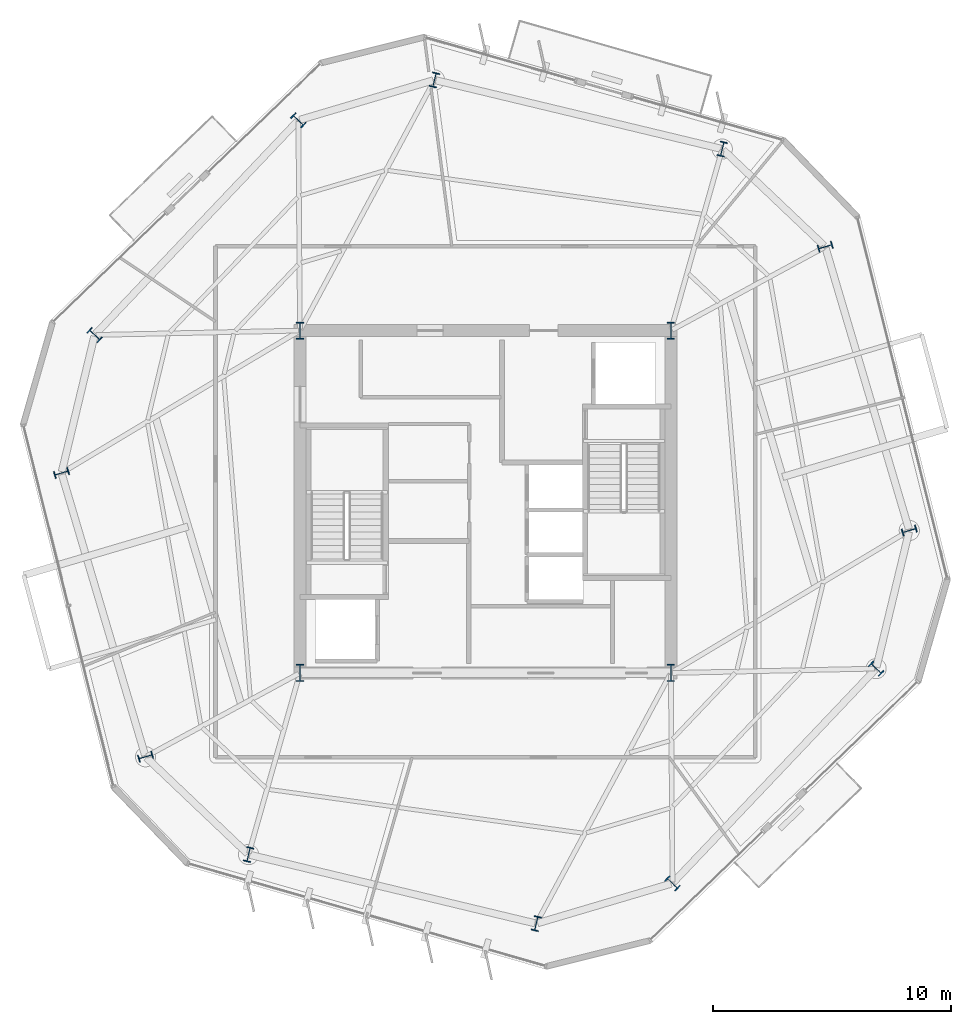
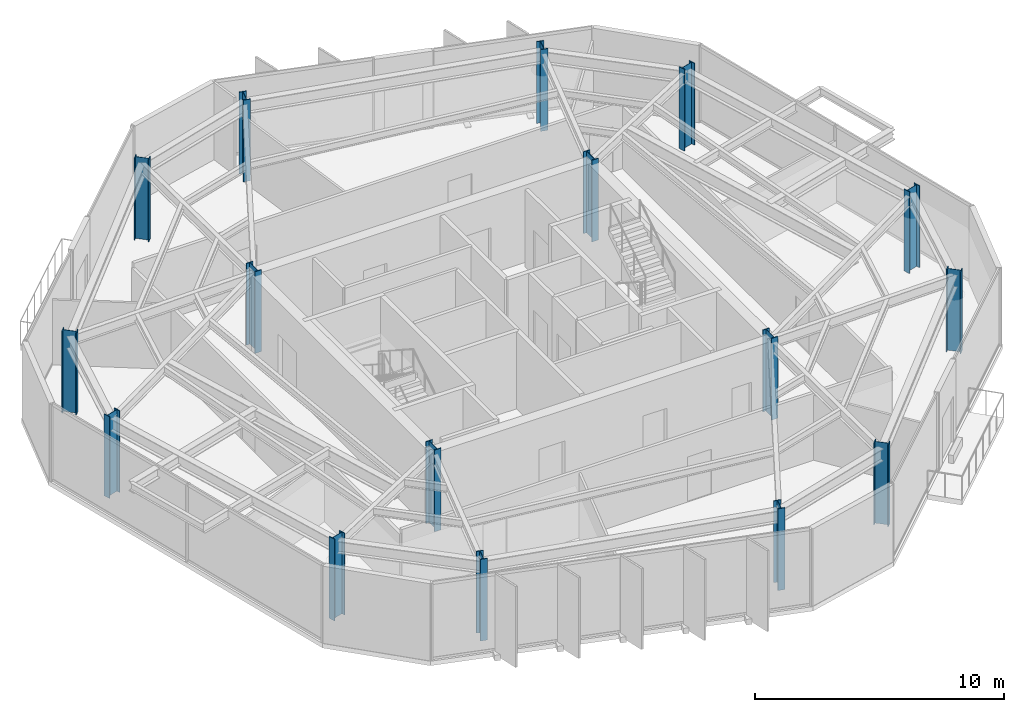
# One storey, part 1 of 10: 16 columns.
"""IFC4 building model written with IfcOpenShell, lengths in metres."""

from ifc_helpers import new_model, si_unit, direction, frame, origin, origin_2d, place, context, subcontext, project, spatial, i_section, extrude, material, material_profile, profile_set, type_object, element, save


model = new_model("IFC4")

# Units and contexts
model_context = context("Model", 3, precision=1e-05, world=origin(), true_north=direction((0.0, 1.0)))
body_context = subcontext(model_context, "Body", "Model", "MODEL_VIEW")
ifc_project = project(units=[si_unit("LENGTHUNIT", "METRE"), si_unit("AREAUNIT", "SQUARE_METRE"), si_unit("VOLUMEUNIT", "CUBIC_METRE"), si_unit("PLANEANGLEUNIT", "RADIAN"), si_unit("MASSUNIT", "GRAM", prefix="KILO")], contexts=[model_context])

# Site, building, storey
site_placement = place(None, origin())
site = spatial("IfcSite", under=ifc_project, at=site_placement, CompositionType="ELEMENT")
building_placement = place(site_placement, origin())
building = spatial("IfcBuilding", under=site, at=building_placement, Name="Kranzbogen Civic Tower", CompositionType="ELEMENT")
storey_placement = place(building_placement, frame((0.0, 0.0, 200.800048828125)))
storey = spatial("IfcBuildingStorey", under=building, at=storey_placement, Name="L48", CompositionType="ELEMENT", Elevation=200.800048828125)

# Columns
ifc_material_1 = material(Name="Steel S355", Category="steel")
ifc_material_profile_1 = material_profile(ifc_material_1, i_section(OverallWidth=0.304931640625, OverallDepth=0.6201171875, WebThickness=0.02099609375, FlangeThickness=0.0400390625, at=origin_2d()), Name="HEM 600")
ifc_profile_set_1 = profile_set([ifc_material_profile_1], Name="Steel S355")
column_type_1 = type_object("IfcColumnType", Name="Structural Column HEM 600", PredefinedType="COLUMN", material=ifc_profile_set_1)
for number, where, z_axis, x_axis, name in (
    (1, (34.9609375, 39.8349609375, 0.0), (0.0, 0.0, 1.0), (-0.972369920398, 0.233445363856, 0.0), "L48 tower perimeter tube column 01"),
    (2, (22.860107421875, 42.739990234375, 0.0), (0.0, 0.0, 1.0), (-0.972369920398, 0.233445363856, 0.0), "L48 tower perimeter tube column 02"),
    (3, (17.133056640625, 41.0439453125, 0.0), (0.0, 0.0, 1.0), (0.688354575694, 0.725374371012, 0.0), "L48 tower perimeter tube column 03"),
    (4, (8.56689453125, 32.01611328125, 0.0), (0.0, 0.0, 1.0), (0.688354575694, 0.725374371012, 0.0), "L48 tower perimeter tube column 04"),
    (5, (7.172119140625, 26.208984375, 0.0), (0.0, 0.0, 1.0), (-0.284015344704, 0.958819734868, 0.0), "L48 tower perimeter tube column 05"),
    (6, (10.70703125, 14.27587890625, 0.0), (0.0, 0.0, 1.0), (-0.284015344704, 0.958819734868, 0.0), "L48 tower perimeter tube column 06"),
    (7, (15.0390625, 10.1650390625, 0.0), (0.0, 0.0, 1.0), (-0.972369920398, 0.233445363856, 0.0), "L48 tower perimeter tube column 07"),
    (8, (27.139892578125, 7.260009765625, 0.0), (0.0, 0.0, 1.0), (-0.972369920398, 0.233445363856, 0.0), "L48 tower perimeter tube column 08"),
    (9, (32.866943359375, 8.9560546875, 0.0), (0.0, 0.0, 1.0), (0.688354575694, 0.725374371012, 0.0), "L48 tower perimeter tube column 09"),
    (10, (41.43310546875, 17.98388671875, 0.0), (0.0, 0.0, 1.0), (0.688354575694, 0.725374371012, 0.0), "L48 tower perimeter tube column 10"),
    (11, (42.827880859375, 23.791015625, 0.0), (0.0, 0.0, 1.0), (-0.284015344704, 0.958819734868, 0.0), "L48 tower perimeter tube column 11"),
    (12, (39.29296875, 35.72412109375, 0.0), (0.0, 0.0, 1.0), (-0.284015344704, 0.958819734868, 0.0), "L48 tower perimeter tube column 12"),
):
    element("IfcColumn", number, at=place(storey_placement, frame(where, z_axis=z_axis, x_axis=x_axis)), inside=storey, type_object=column_type_1, Name=name, PredefinedType="COLUMN", context=body_context, shape_type="SweptSolid", body=[
        extrude(i_section(OverallWidth=0.304931640625, OverallDepth=0.6201171875, WebThickness=0.02099609375, FlangeThickness=0.0400390625, at=origin_2d()), origin(), (0.0, 0.0, 1.0), 4.0),
    ])
ifc_material_2 = material(Name="Steel S460", Category="steel")
ifc_material_profile_2 = material_profile(ifc_material_2, i_section(OverallWidth=0.303955078125, OverallDepth=0.716064453125, WebThickness=0.02099609375, FlangeThickness=0.0400390625, at=origin_2d()), Name="HEM 700")
ifc_profile_set_2 = profile_set([ifc_material_profile_2], Name="Steel S460")
column_type_2 = type_object("IfcColumnType", Name="Structural Column HEM 700", PredefinedType="COLUMN", material=ifc_profile_set_2)
for number, where, z_axis, x_axis, name in (
    (13, (17.199951171875, 17.800048828125, 0.0), (0.0, 0.0, 1.0), (1.0, 0.0, 0.0), "L48 composite core corner column 1"),
    (14, (32.800048828125, 17.800048828125, 0.0), (0.0, 0.0, 1.0), (1.0, 0.0, 0.0), "L48 composite core corner column 2"),
    (15, (32.800048828125, 32.199951171875, 0.0), (0.0, 0.0, 1.0), (1.0, 0.0, 0.0), "L48 composite core corner column 3"),
    (16, (17.199951171875, 32.199951171875, 0.0), (0.0, 0.0, 1.0), (1.0, 0.0, 0.0), "L48 composite core corner column 4"),
):
    element("IfcColumn", number, at=place(storey_placement, frame(where, z_axis=z_axis, x_axis=x_axis)), inside=storey, type_object=column_type_2, Name=name, PredefinedType="COLUMN", context=body_context, shape_type="SweptSolid", body=[
        extrude(i_section(OverallWidth=0.303955078125, OverallDepth=0.716064453125, WebThickness=0.02099609375, FlangeThickness=0.0400390625, at=origin_2d()), origin(), (0.0, 0.0, 1.0), 4.0),
    ])

save(model, "model.ifc")
